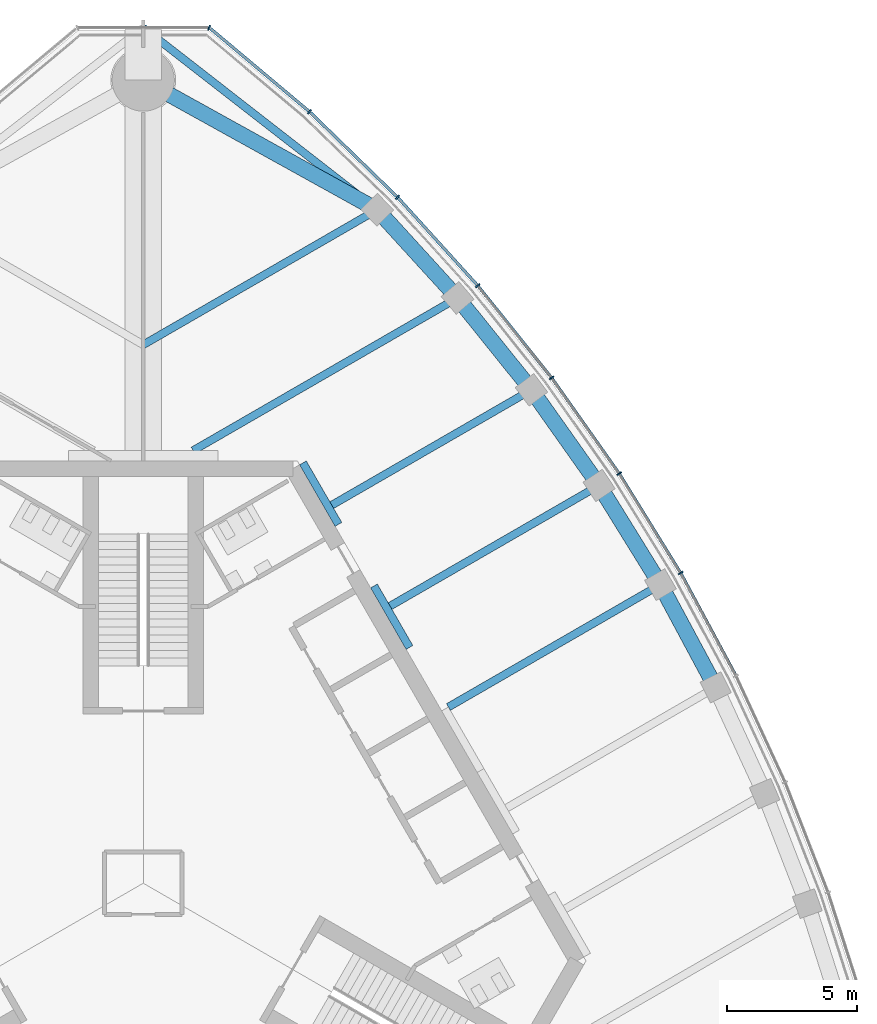
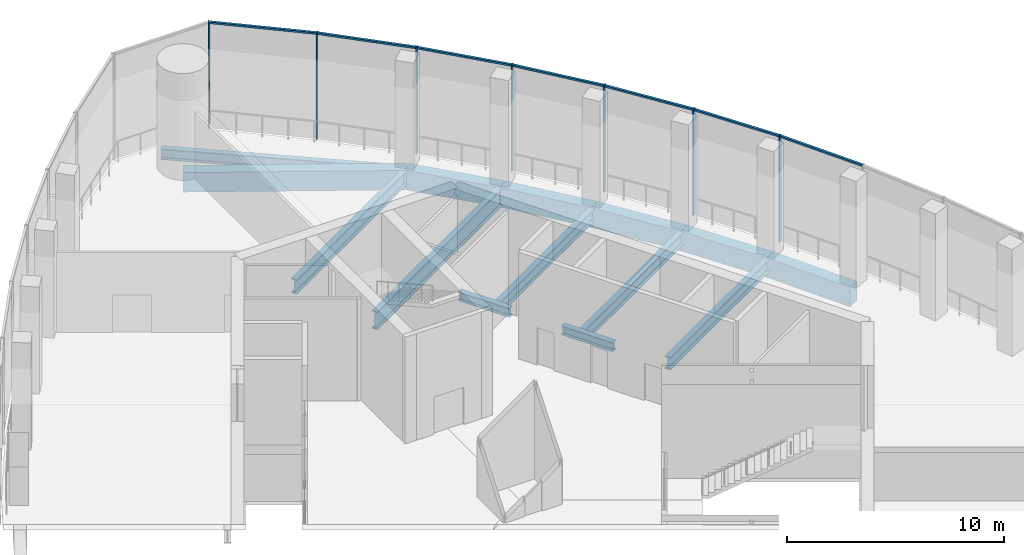
# One storey, part 7 of 15: 14 beams, 14 members, 2 elements without a shape of their own.
"""IFC4 building model written with IfcOpenShell, lengths in metres."""

from ifc_helpers import new_model, si_unit, direction, frame, origin, origin_2d, place, context, subcontext, project, spatial, rectangle, i_section, extrude, material, material_profile, profile_set, type_object, element, aggregate, save


model = new_model("IFC4")

# Units and contexts
model_context = context("Model", 3, precision=1e-05, world=origin(), true_north=direction((0.0, 1.0)))
body_context = subcontext(model_context, "Body", "Model", "MODEL_VIEW")
ifc_project = project(units=[si_unit("LENGTHUNIT", "METRE"), si_unit("AREAUNIT", "SQUARE_METRE"), si_unit("VOLUMEUNIT", "CUBIC_METRE"), si_unit("PLANEANGLEUNIT", "RADIAN"), si_unit("MASSUNIT", "GRAM", prefix="KILO")], contexts=[model_context])

# Site, building, storey
site_placement = place(None, origin())
site = spatial("IfcSite", under=ifc_project, at=site_placement, CompositionType="ELEMENT")
building_placement = place(site_placement, origin())
building = spatial("IfcBuilding", under=site, at=building_placement, Name="Trefoil Bronze Tower", CompositionType="ELEMENT")
storey_placement = place(building_placement, frame((0.0, 0.0, 322.5)))
storey = spatial("IfcBuildingStorey", under=building, at=storey_placement, Name="L74", CompositionType="ELEMENT", Elevation=322.5)

# Curtain wall, members
ifc_material_1 = material(Name="Tinted solar-control glass", Category="glass")
curtain_wall_type_1 = type_object("IfcCurtainWallType", Name="Bronze observation curtain wall", PredefinedType="USERDEFINED", material=ifc_material_1)
curtain_wall_1_placement = place(storey_placement, origin())
curtain_wall_1 = element("IfcCurtainWall", 1, at=curtain_wall_1_placement, inside=storey, type_object=curtain_wall_type_1, Name="CW-E L74 F2", ObjectType="CURTAIN WALL", PredefinedType="USERDEFINED")
ifc_material_2 = material(Name="Bronze-finish aluminium", Category="aluminium")
ifc_material_profile_1 = material_profile(ifc_material_2, rectangle(XDim=0.199951171875, YDim=0.06005859375, at=origin_2d()), Name="CW-E mullion")
ifc_profile_set_1 = profile_set([ifc_material_profile_1], Name="Bronze-finish aluminium")
member_type_1 = type_object("IfcMemberType", Name="Bronze observation curtain wall mullion", PredefinedType="MULLION", material=ifc_profile_set_1)
member_1_placement = place(storey_placement, frame((20.74267578125, 11.975830078125, 0.0), z_axis=(0.0, 0.0, 1.0), x_axis=(-0.866025403784, -0.5, 0.0)))
member_1 = element("IfcMember", 2, at=member_1_placement, type_object=member_type_1, Name="CW-E L74 F2 mullion 6", PredefinedType="MULLION", context=body_context, shape_type="SweptSolid", body=[
    extrude(rectangle(XDim=0.199951171875, YDim=0.06005859375, at=origin_2d()), origin(), (0.0, 0.0, 1.0), 5.97998046875),
])
member_2_placement = place(storey_placement, frame((18.37158203125, 15.81005859375, 0.0), z_axis=(0.0, 0.0, 1.0), x_axis=(-0.834159158089, -0.551523797289, 0.0)))
member_2 = element("IfcMember", 3, at=member_2_placement, type_object=member_type_1, Name="CW-E L74 F2 mullion 7", PredefinedType="MULLION", context=body_context, shape_type="SweptSolid", body=[
    extrude(rectangle(XDim=0.199951171875, YDim=0.06005859375, at=origin_2d()), origin(), (0.0, 0.0, 1.0), 5.97998046875),
])
member_3_placement = place(storey_placement, frame((15.7626953125, 19.5068359375, 0.0), z_axis=(0.0, 0.0, 1.0), x_axis=(-0.799096076136, -0.601203344222, 0.0)))
member_3 = element("IfcMember", 4, at=member_3_placement, type_object=member_type_1, Name="CW-E L74 F2 mullion 8", PredefinedType="MULLION", context=body_context, shape_type="SweptSolid", body=[
    extrude(rectangle(XDim=0.199951171875, YDim=0.06005859375, at=origin_2d()), origin(), (0.0, 0.0, 1.0), 5.97998046875),
])
member_4_placement = place(storey_placement, frame((12.912353515625, 23.064453125, 0.0), z_axis=(0.0, 0.0, 1.0), x_axis=(-0.760781190165, -0.649008459646, 0.0)))
member_4 = element("IfcMember", 5, at=member_4_placement, type_object=member_type_1, Name="CW-E L74 F2 mullion 9", PredefinedType="MULLION", context=body_context, shape_type="SweptSolid", body=[
    extrude(rectangle(XDim=0.199951171875, YDim=0.06005859375, at=origin_2d()), origin(), (0.0, 0.0, 1.0), 5.97998046875),
])
member_5_placement = place(storey_placement, frame((9.8134765625, 26.478271484375, 0.0), z_axis=(0.0, 0.0, 1.0), x_axis=(-0.719001349715, -0.695008675564, 0.0)))
member_5 = element("IfcMember", 6, at=member_5_placement, type_object=member_type_1, Name="CW-E L74 F2 mullion 10", PredefinedType="MULLION", context=body_context, shape_type="SweptSolid", body=[
    extrude(rectangle(XDim=0.199951171875, YDim=0.06005859375, at=origin_2d()), origin(), (0.0, 0.0, 1.0), 5.97998046875),
])
ifc_material_3 = material(Name="Bronze-finish aluminium", Category="aluminium")
ifc_material_profile_2 = material_profile(ifc_material_3, rectangle(XDim=0.1201171875, YDim=0.10009765625, at=origin_2d()), Name="CW-E transom")
ifc_profile_set_2 = profile_set([ifc_material_profile_2], Name="Bronze-finish aluminium")
member_type_2 = type_object("IfcMemberType", Name="Bronze observation curtain wall transom", PredefinedType="USERDEFINED", material=ifc_profile_set_2)
member_6_placement = place(storey_placement, frame((22.862060546875, 8.034423828125, 5.929931640625), z_axis=(-0.473595015729, 0.880742732628, 0.0), x_axis=(-0.880742732628, -0.473595015729, 0.0)))
member_6 = element("IfcMember", 7, at=member_6_placement, type_object=member_type_2, Name="CW-E L74 F2 transom 5", ObjectType="TRANSOM", PredefinedType="USERDEFINED", context=body_context, shape_type="SweptSolid", body=[
    extrude(rectangle(XDim=0.1201171875, YDim=0.10009765625, at=origin_2d()), origin(), (0.0, 0.0, 1.0), 4.442138671875),
])
member_7_placement = place(storey_placement, frame((20.725341796875, 12.00390625, 5.929931640625), z_axis=(-0.525966686785, 0.850505170115, 0.0), x_axis=(-0.850505170115, -0.525966686785, 0.0)))
member_7 = element("IfcMember", 8, at=member_7_placement, type_object=member_type_2, Name="CW-E L74 F2 transom 6", ObjectType="TRANSOM", PredefinedType="USERDEFINED", context=body_context, shape_type="SweptSolid", body=[
    extrude(rectangle(XDim=0.1201171875, YDim=0.10009765625, at=origin_2d()), origin(), (0.0, 0.0, 1.0), 4.442138671875),
])
member_8_placement = place(storey_placement, frame((18.3525390625, 15.8369140625, 5.929931640625), z_axis=(-0.576567106731, 0.817049797402, 0.0), x_axis=(-0.817049797402, -0.576567106731, 0.0)))
member_8 = element("IfcMember", 9, at=member_8_placement, type_object=member_type_2, Name="CW-E L74 F2 transom 7", ObjectType="TRANSOM", PredefinedType="USERDEFINED", context=body_context, shape_type="SweptSolid", body=[
    extrude(rectangle(XDim=0.1201171875, YDim=0.10009765625, at=origin_2d()), origin(), (0.0, 0.0, 1.0), 4.458740234375),
])
member_9_placement = place(storey_placement, frame((15.7421875, 19.53271484375, 5.929931640625), z_axis=(-0.625291332688, 0.780391407734, 0.0), x_axis=(-0.780391407734, -0.625291332688, 0.0)))
member_9 = element("IfcMember", 10, at=member_9_placement, type_object=member_type_2, Name="CW-E L74 F2 transom 8", ObjectType="TRANSOM", PredefinedType="USERDEFINED", context=body_context, shape_type="SweptSolid", body=[
    extrude(rectangle(XDim=0.1201171875, YDim=0.10009765625, at=origin_2d()), origin(), (0.0, 0.0, 1.0), 4.492431640625),
])
member_10_placement = place(storey_placement, frame((12.89013671875, 23.0888671875, 5.929931640625), z_axis=(-0.672113749312, 0.74044791038, 0.0), x_axis=(-0.74044791038, -0.672113749312, 0.0)))
member_10 = element("IfcMember", 11, at=member_10_placement, type_object=member_type_2, Name="CW-E L74 F2 transom 9", ObjectType="TRANSOM", PredefinedType="USERDEFINED", context=body_context, shape_type="SweptSolid", body=[
    extrude(rectangle(XDim=0.1201171875, YDim=0.10009765625, at=origin_2d()), origin(), (0.0, 0.0, 1.0), 4.54443359375),
])
member_11_placement = place(storey_placement, frame((9.78955078125, 26.50146484375, 5.929931640625), z_axis=(-0.717207669236, 0.696859497452, 0.0), x_axis=(-0.696859497452, -0.717207669236, 0.0)))
member_11 = element("IfcMember", 12, at=member_11_placement, type_object=member_type_2, Name="CW-E L74 F2 transom 10", ObjectType="TRANSOM", PredefinedType="USERDEFINED", context=body_context, shape_type="SweptSolid", body=[
    extrude(rectangle(XDim=0.1201171875, YDim=0.10009765625, at=origin_2d()), origin(), (0.0, 0.0, 1.0), 4.667236328125),
])
aggregate(curtain_wall_1, [member_1, member_2, member_3, member_4, member_5, member_6, member_7, member_8, member_9, member_10, member_11])

ifc_material_4 = material(Name="Tinted solar-control glass", Category="glass")
curtain_wall_type_2 = type_object("IfcCurtainWallType", Name="Bronze rounded corner curtain wall", PredefinedType="USERDEFINED", material=ifc_material_4)
curtain_wall_2_placement = place(storey_placement, origin())
curtain_wall_2 = element("IfcCurtainWall", 13, at=curtain_wall_2_placement, inside=storey, type_object=curtain_wall_type_2, Name="CW-B L74 K2", ObjectType="CURTAIN WALL", PredefinedType="USERDEFINED")
ifc_material_5 = material(Name="Bronze-finish aluminium", Category="aluminium")
ifc_material_profile_3 = material_profile(ifc_material_5, rectangle(XDim=0.199951171875, YDim=0.06005859375, at=origin_2d()), Name="CW-B mullion")
ifc_profile_set_3 = profile_set([ifc_material_profile_3], Name="Bronze-finish aluminium")
member_type_3 = type_object("IfcMemberType", Name="Bronze rounded corner curtain wall mullion", PredefinedType="MULLION", material=ifc_profile_set_3)
member_12_placement = place(storey_placement, frame((6.4150390625, 29.77978515625, 0.0), z_axis=(0.0, 0.0, 1.0), x_axis=(-0.642787609687, -0.766044443119, 0.0)))
member_12 = element("IfcMember", 14, at=member_12_placement, type_object=member_type_3, Name="CW-B L74 K2 mullion 1", PredefinedType="MULLION", context=body_context, shape_type="SweptSolid", body=[
    extrude(rectangle(XDim=0.199951171875, YDim=0.06005859375, at=origin_2d()), origin(), (0.0, 0.0, 1.0), 5.97998046875),
])
member_13_placement = place(storey_placement, frame((2.542236328125, 33.021484375, 0.0), z_axis=(0.0, 0.0, 1.0), x_axis=(-0.342020143326, -0.939692620786, 0.0)))
member_13 = element("IfcMember", 15, at=member_13_placement, type_object=member_type_3, Name="CW-B L74 K2 mullion 2", PredefinedType="MULLION", context=body_context, shape_type="SweptSolid", body=[
    extrude(rectangle(XDim=0.199951171875, YDim=0.06005859375, at=origin_2d()), origin(), (0.0, 0.0, 1.0), 5.97998046875),
])
ifc_material_6 = material(Name="Bronze-finish aluminium", Category="aluminium")
ifc_material_profile_4 = material_profile(ifc_material_6, rectangle(XDim=0.1201171875, YDim=0.10009765625, at=origin_2d()), Name="CW-B transom")
ifc_profile_set_4 = profile_set([ifc_material_profile_4], Name="Bronze-finish aluminium")
member_type_4 = type_object("IfcMemberType", Name="Bronze rounded corner curtain wall transom", PredefinedType="USERDEFINED", material=ifc_profile_set_4)
member_14_placement = place(storey_placement, frame((6.39208984375, 29.799072265625, 5.929931640625), z_axis=(-0.766040522511, 0.642792282056, 0.0), x_axis=(-0.642792282056, -0.766040522511, 0.0)))
member_14 = element("IfcMember", 16, at=member_14_placement, type_object=member_type_4, Name="CW-B L74 K2 transom 1", ObjectType="TRANSOM", PredefinedType="USERDEFINED", context=body_context, shape_type="SweptSolid", body=[
    extrude(rectangle(XDim=0.1201171875, YDim=0.10009765625, at=origin_2d()), origin(), (0.0, 0.0, 1.0), 4.9560546875),
])
aggregate(curtain_wall_2, [member_12, member_13, member_14])

# Beams
ifc_material_7 = material(Name="Steel C355", Category="steel")
ifc_material_profile_5 = material_profile(ifc_material_7, i_section(OverallWidth=0.300048828125, OverallDepth=0.5, WebThickness=0.014404296875, FlangeThickness=0.028076171875, FilletRadius=0.027099609375, at=origin_2d()), Name="HEB 500")
ifc_profile_set_5 = profile_set([ifc_material_profile_5], Name="Steel C355")
beam_type_1 = type_object("IfcBeamType", Name="Core seat beam HEB 500", PredefinedType="BEAM", material=ifc_profile_set_5)
for number, where, z_axis, x_axis, name in (
    (17, (10.27685546875, 9.10009765625, -0.449951171875), (-0.500035825175, 0.866004719122, 0.0), (-0.866004719122, -0.500035825175, 0.0), "Core seat beam F2/+1 L74"),
    (18, (7.534423828125, 13.85009765625, -0.449951171875), (-0.499969057507, 0.866043267704, 0.0), (-0.866043267704, -0.499969057507, 0.0), "Core seat beam F2/+2 L74"),
):
    element("IfcBeam", number, at=place(storey_placement, frame(where, z_axis=z_axis, x_axis=x_axis)), inside=storey, type_object=beam_type_1, Name=name, PredefinedType="BEAM", context=body_context, shape_type="SweptSolid", body=[
        extrude(i_section(OverallWidth=0.300048828125, OverallDepth=0.5, WebThickness=0.014404296875, FlangeThickness=0.028076171875, FilletRadius=0.027099609375, at=origin_2d()), origin(), (0.0, 0.0, 1.0), 2.742431640625),
    ])
ifc_material_8 = material(Name="Steel C355", Category="steel")
ifc_material_profile_6 = material_profile(ifc_material_8, i_section(OverallWidth=0.300048828125, OverallDepth=0.60009765625, WebThickness=0.015380859375, FlangeThickness=0.030029296875, FilletRadius=0.027099609375, at=origin_2d()), Name="HEB 600")
ifc_profile_set_6 = profile_set([ifc_material_profile_6], Name="Steel C355")
beam_type_2 = type_object("IfcBeamType", Name="Corner edge beam HEB 600", PredefinedType="BEAM", material=ifc_profile_set_6)
beam_1_placement = place(storey_placement, frame((9.02734375, 25.99658203125, -0.5), z_axis=(-0.789270604977, 0.614045529354, 0.0), x_axis=(-0.614045529354, -0.789270604977, 0.0)))
element("IfcBeam", 19, at=beam_1_placement, inside=storey, type_object=beam_type_2, Name="Corner edge beam F2A L74", PredefinedType="BEAM", context=body_context, shape_type="SweptSolid", body=[
    extrude(i_section(OverallWidth=0.300048828125, OverallDepth=0.60009765625, WebThickness=0.015380859375, FlangeThickness=0.030029296875, FilletRadius=0.027099609375, at=origin_2d()), origin(), (0.0, 0.0, 1.0), 11.4375),
])
ifc_material_9 = material(Name="Concrete B80", Category="concrete")
ifc_material_profile_7 = material_profile(ifc_material_9, rectangle(XDim=0.60009765625, YDim=1.10009765625, at=origin_2d()), Name="RC 600x1100")
ifc_profile_set_7 = profile_set([ifc_material_profile_7], Name="Concrete B80")
beam_type_3 = type_object("IfcBeamType", Name="End spandrel beam RC 600x1100", PredefinedType="SPANDREL", material=ifc_profile_set_7)
beam_2_placement = place(storey_placement, frame((9.02734375, 25.99658203125, -0.75), z_axis=(-0.874641085074, 0.484771051426, 0.0), x_axis=(-0.484771051426, -0.874641085074, 0.0)))
element("IfcBeam", 20, at=beam_2_placement, inside=storey, type_object=beam_type_3, Name="Spandrel F2.10 L74", PredefinedType="SPANDREL", context=body_context, shape_type="SweptSolid", body=[
    extrude(rectangle(XDim=0.60009765625, YDim=1.10009765625, at=origin_2d()), origin(), (0.0, 0.0, 1.0), 10.3212890625),
])
ifc_material_10 = material(Name="Steel C355", Category="steel")
ifc_material_profile_8 = material_profile(ifc_material_10, i_section(OverallWidth=0.300048828125, OverallDepth=1.0, WebThickness=0.01904296875, FlangeThickness=0.035888671875, FilletRadius=0.030029296875, at=origin_2d()), Name="HEB 1000")
ifc_profile_set_8 = profile_set([ifc_material_profile_8], Name="Steel C355")
beam_type_4 = type_object("IfcBeamType", Name="Floor beam HEB 1000", PredefinedType="BEAM", material=ifc_profile_set_8)
beam_3_placement = place(storey_placement, frame((12.131591796875, 22.5927734375, -0.699951171875), z_axis=(-0.866017581749, -0.500013547917, 0.0), x_axis=(0.500013547917, -0.866017581749, 0.0)))
element("IfcBeam", 21, at=beam_3_placement, inside=storey, type_object=beam_type_4, Name="Floor beam F2/+3 L74", PredefinedType="BEAM", context=body_context, shape_type="SweptSolid", body=[
    extrude(i_section(OverallWidth=0.300048828125, OverallDepth=1.0, WebThickness=0.01904296875, FlangeThickness=0.035888671875, FilletRadius=0.030029296875, at=origin_2d()), origin(), (0.0, 0.0, 1.0), 11.785400390625),
])
ifc_material_11 = material(Name="Steel C355", Category="steel")
ifc_material_profile_9 = material_profile(ifc_material_11, i_section(OverallWidth=0.300048828125, OverallDepth=0.699951171875, WebThickness=0.01708984375, FlangeThickness=0.031982421875, FilletRadius=0.027099609375, at=origin_2d()), Name="HEB 700")
ifc_profile_set_9 = profile_set([ifc_material_profile_9], Name="Steel C355")
beam_type_5 = type_object("IfcBeamType", Name="Floor beam HEB 700", PredefinedType="BEAM", material=ifc_profile_set_9)
beam_4_placement = place(storey_placement, frame((19.96337890625, 11.52587890625, -0.550048828125), z_axis=(-0.866029875693, -0.499992254348, 0.0), x_axis=(0.499992254348, -0.866029875693, 0.0)))
element("IfcBeam", 22, at=beam_4_placement, inside=storey, type_object=beam_type_5, Name="Floor beam F2/+0 L74", PredefinedType="BEAM", context=body_context, shape_type="SweptSolid", body=[
    extrude(i_section(OverallWidth=0.300048828125, OverallDepth=0.699951171875, WebThickness=0.01708984375, FlangeThickness=0.031982421875, FilletRadius=0.027099609375, at=origin_2d()), origin(), (0.0, 0.0, 1.0), 9.451904296875),
])
beam_5_placement = place(storey_placement, frame((17.593994140625, 15.35400390625, -0.550048828125), z_axis=(-0.866026261222, -0.499998514871, 0.0), x_axis=(0.499998514871, -0.866026261222, 0.0)))
element("IfcBeam", 23, at=beam_5_placement, inside=storey, type_object=beam_type_5, Name="Floor beam F2/+1 L74", PredefinedType="BEAM", context=body_context, shape_type="SweptSolid", body=[
    extrude(i_section(OverallWidth=0.300048828125, OverallDepth=0.699951171875, WebThickness=0.01708984375, FlangeThickness=0.031982421875, FilletRadius=0.027099609375, at=origin_2d()), origin(), (0.0, 0.0, 1.0), 9.31396484375),
])
beam_6_placement = place(storey_placement, frame((14.98486328125, 19.043701171875, -0.550048828125), z_axis=(-0.866034827411, -0.499983677445, 0.0), x_axis=(0.499983677445, -0.866034827411, 0.0)))
element("IfcBeam", 24, at=beam_6_placement, inside=storey, type_object=beam_type_5, Name="Floor beam F2/+2 L74", PredefinedType="BEAM", context=body_context, shape_type="SweptSolid", body=[
    extrude(i_section(OverallWidth=0.300048828125, OverallDepth=0.699951171875, WebThickness=0.01708984375, FlangeThickness=0.031982421875, FilletRadius=0.027099609375, at=origin_2d()), origin(), (0.0, 0.0, 1.0), 8.899169921875),
])
ifc_material_12 = material(Name="Steel C355", Category="steel")
ifc_material_profile_10 = material_profile(ifc_material_12, i_section(OverallWidth=0.300048828125, OverallDepth=0.800048828125, WebThickness=0.017578125, FlangeThickness=0.032958984375, FilletRadius=0.030029296875, at=origin_2d()), Name="HEB 800")
ifc_profile_set_10 = profile_set([ifc_material_profile_10], Name="Steel C355")
beam_type_6 = type_object("IfcBeamType", Name="Floor beam HEB 800", PredefinedType="BEAM", material=ifc_profile_set_10)
beam_7_placement = place(storey_placement, frame((9.02734375, 25.99658203125, -0.60009765625), z_axis=(-0.866026453994, -0.499998180979, 0.0), x_axis=(0.499998180979, -0.866026453994, 0.0)))
element("IfcBeam", 25, at=beam_7_placement, inside=storey, type_object=beam_type_6, Name="Floor beam F2/+4 L74", PredefinedType="BEAM", context=body_context, shape_type="SweptSolid", body=[
    extrude(i_section(OverallWidth=0.300048828125, OverallDepth=0.800048828125, WebThickness=0.017578125, FlangeThickness=0.032958984375, FilletRadius=0.030029296875, at=origin_2d()), origin(), (0.0, 0.0, 1.0), 10.423828125),
])
ifc_material_13 = material(Name="Concrete B80", Category="concrete")
ifc_material_profile_11 = material_profile(ifc_material_13, rectangle(XDim=0.60009765625, YDim=1.10009765625, at=origin_2d()), Name="RC 600x1100")
ifc_profile_set_11 = profile_set([ifc_material_profile_11], Name="Concrete B80")
beam_type_7 = type_object("IfcBeamType", Name="Spandrel beam RC 600x1100", PredefinedType="SPANDREL", material=ifc_profile_set_11)
beam_8_placement = place(storey_placement, frame((22.093994140625, 7.559814453125, -0.75), z_axis=(-0.473245885676, 0.880930378458, 0.0), x_axis=(-0.880930378458, -0.473245885676, 0.0)))
element("IfcBeam", 26, at=beam_8_placement, inside=storey, type_object=beam_type_7, Name="Spandrel F2.5 L74", PredefinedType="SPANDREL", context=body_context, shape_type="SweptSolid", body=[
    extrude(rectangle(XDim=0.60009765625, YDim=1.10009765625, at=origin_2d()), origin(), (0.0, 0.0, 1.0), 4.502197265625),
])
beam_9_placement = place(storey_placement, frame((19.96337890625, 11.52587890625, -0.75), z_axis=(-0.526289271956, 0.850305593433, 0.0), x_axis=(-0.850305593433, -0.526289271956, 0.0)))
element("IfcBeam", 27, at=beam_9_placement, inside=storey, type_object=beam_type_7, Name="Spandrel F2.6 L74", PredefinedType="SPANDREL", context=body_context, shape_type="SweptSolid", body=[
    extrude(rectangle(XDim=0.60009765625, YDim=1.10009765625, at=origin_2d()), origin(), (0.0, 0.0, 1.0), 4.501953125),
])
beam_10_placement = place(storey_placement, frame((17.593994140625, 15.35400390625, -0.75), z_axis=(-0.577368105169, 0.816483968693, 0.0), x_axis=(-0.816483968693, -0.577368105169, 0.0)))
element("IfcBeam", 28, at=beam_10_placement, inside=storey, type_object=beam_type_7, Name="Spandrel F2.7 L74", PredefinedType="SPANDREL", context=body_context, shape_type="SweptSolid", body=[
    extrude(rectangle(XDim=0.60009765625, YDim=1.10009765625, at=origin_2d()), origin(), (0.0, 0.0, 1.0), 4.51904296875),
])
beam_11_placement = place(storey_placement, frame((14.98486328125, 19.043701171875, -0.75), z_axis=(-0.626569682592, 0.779365403939, 0.0), x_axis=(-0.779365403939, -0.626569682592, 0.0)))
element("IfcBeam", 29, at=beam_11_placement, inside=storey, type_object=beam_type_7, Name="Spandrel F2.8 L74", PredefinedType="SPANDREL", context=body_context, shape_type="SweptSolid", body=[
    extrude(rectangle(XDim=0.60009765625, YDim=1.10009765625, at=origin_2d()), origin(), (0.0, 0.0, 1.0), 4.5537109375),
])
beam_12_placement = place(storey_placement, frame((12.131591796875, 22.5927734375, -0.75), z_axis=(-0.673845775847, 0.738872025707, 0.0), x_axis=(-0.738872025707, -0.673845775847, 0.0)))
element("IfcBeam", 30, at=beam_12_placement, inside=storey, type_object=beam_type_7, Name="Spandrel F2.9 L74", PredefinedType="SPANDREL", context=body_context, shape_type="SweptSolid", body=[
    extrude(rectangle(XDim=0.60009765625, YDim=1.10009765625, at=origin_2d()), origin(), (0.0, 0.0, 1.0), 4.606689453125),
])

save(model, "model.ifc")
